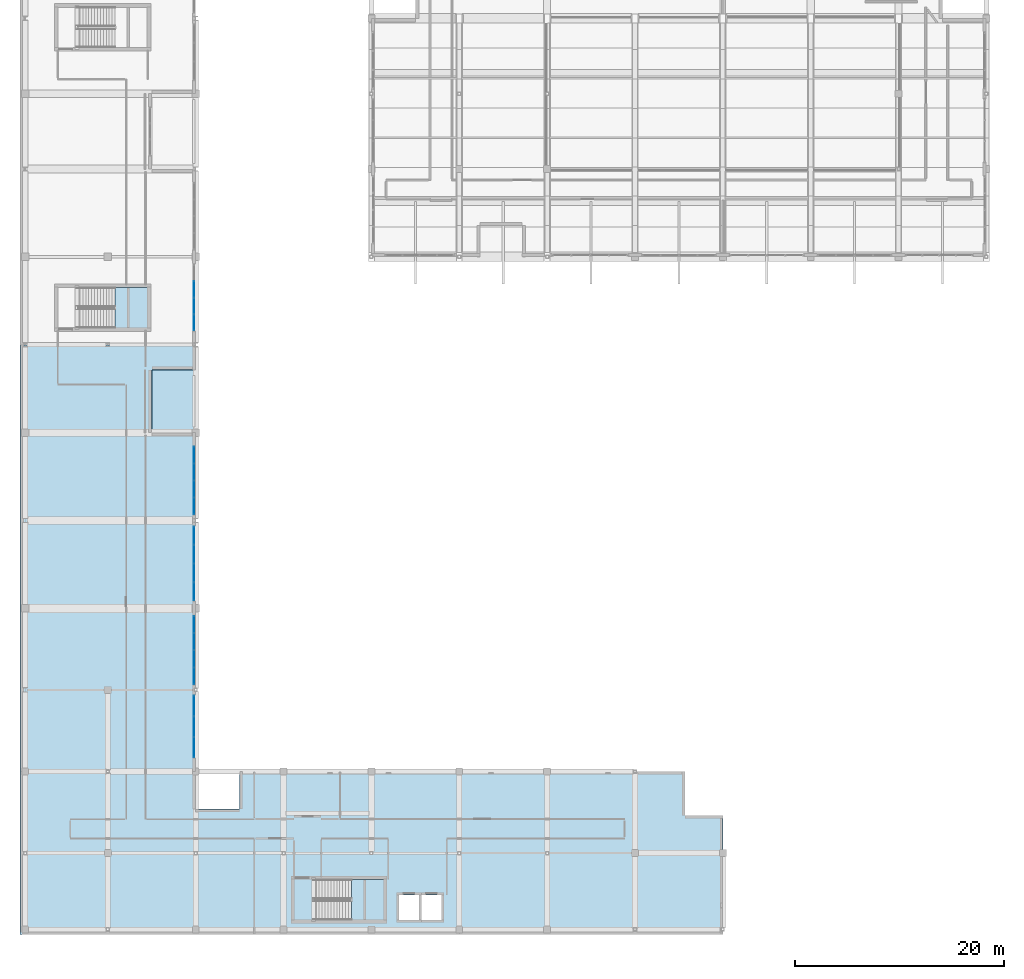
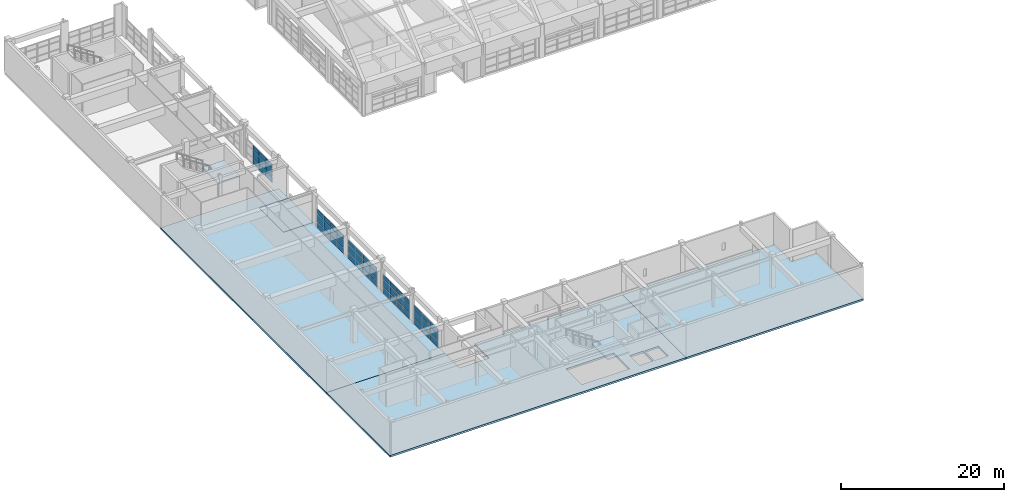
# One storey, part 72 of 103: 54 plates, 6 slabs, 7 elements without a shape of their own.
"""IFC4 building model written with IfcOpenShell, lengths in metres."""

from ifc_helpers import new_model, si_unit, direction, frame, origin, origin_2d, place, context, subcontext, project, spatial, polyline, rectangle, outline, extrude, material, layer, layer_set, type_object, element, aggregate, save


model = new_model("IFC4")

# Units and contexts
model_context = context("Model", 3, precision=1e-05, world=origin(), true_north=direction((0.0, 1.0)))
body_context = subcontext(model_context, "Body", "Model", "MODEL_VIEW")
ifc_project = project(units=[si_unit("LENGTHUNIT", "METRE"), si_unit("AREAUNIT", "SQUARE_METRE"), si_unit("VOLUMEUNIT", "CUBIC_METRE"), si_unit("PLANEANGLEUNIT", "RADIAN"), si_unit("MASSUNIT", "GRAM", prefix="KILO")], contexts=[model_context])

# Site, building, storey
site_placement = place(None, origin())
site = spatial("IfcSite", under=ifc_project, at=site_placement, CompositionType="ELEMENT")
building_placement = place(site_placement, origin())
building = spatial("IfcBuilding", under=site, at=building_placement, Name="Quendrovan Civic Courthouse", CompositionType="ELEMENT")
storey_placement = place(building_placement, frame((0.0, 0.0, 15.300048828125)))
storey = spatial("IfcBuildingStorey", under=building, at=storey_placement, Name="L04", CompositionType="ELEMENT", Elevation=15.300048828125)

# Curtain wall, plates
ifc_material_1 = material(Name="Bronze anodised aluminium and low-E glass", Category="aluminium")
ifc_layer_1 = layer(ifc_material_1, 0.179931640625, Name="Bronze anodised aluminium and low-E glass")
ifc_layer_set_1 = layer_set([ifc_layer_1], Name="Bronze anodised aluminium and low-E glass")
curtain_wall_type_1 = type_object("IfcCurtainWallType", Name="CW-U72x30", PredefinedType="USERDEFINED", material=ifc_layer_set_1)
curtain_wall_1_placement = place(storey_placement, origin())
curtain_wall_1 = element("IfcCurtainWall", 1, at=curtain_wall_1_placement, inside=storey, type_object=curtain_wall_type_1, Name="L04 Unitised Hurricane Curtain Wall CW-152", ObjectType="UNITISED CURTAIN WALL", PredefinedType="USERDEFINED")
ifc_material_2 = material(Name="Laminated hurricane-impact low-E glass", Category="glass")
ifc_layer_2 = layer(ifc_material_2, 0.028076171875, Name="Laminated hurricane-impact low-E glass")
ifc_layer_set_2 = layer_set([ifc_layer_2], Name="Laminated hurricane-impact low-E glass")
plate_type_1 = type_object("IfcPlateType", Name="CW-PNL-1", PredefinedType="CURTAIN_PANEL", material=ifc_layer_set_2)
plate_1_placement = place(storey_placement, frame((16.635009765625, 38.150146484375, 0.06982421875), z_axis=(0.0, 0.0, 1.0), x_axis=(0.0, -1.0, 0.0)))
plate_1 = element("IfcPlate", 2, at=plate_1_placement, type_object=plate_type_1, Name="CW-152 panel 1.1", PredefinedType="CURTAIN_PANEL", context=body_context, shape_type="SweptSolid", body=[
    extrude(rectangle(XDim=1.685791015625, YDim=0.028076171875, at=origin_2d()), origin(), (0.0, 0.0, 1.0), 0.844970703125),
])
plate_2_placement = place(storey_placement, frame((16.635009765625, 38.150146484375, 0.985107421875), z_axis=(0.0, 0.0, 1.0), x_axis=(0.0, -1.0, 0.0)))
plate_2 = element("IfcPlate", 3, at=plate_2_placement, type_object=plate_type_1, Name="CW-152 panel 1.2", PredefinedType="CURTAIN_PANEL", context=body_context, shape_type="SweptSolid", body=[
    extrude(rectangle(XDim=1.685791015625, YDim=0.028076171875, at=origin_2d()), origin(), (0.0, 0.0, 1.0), 1.1298828125),
])
plate_3_placement = place(storey_placement, frame((16.635009765625, 38.150146484375, 2.18505859375), z_axis=(0.0, 0.0, 1.0), x_axis=(0.0, -1.0, 0.0)))
plate_3 = element("IfcPlate", 4, at=plate_3_placement, type_object=plate_type_1, Name="CW-152 panel 1.3", PredefinedType="CURTAIN_PANEL", context=body_context, shape_type="SweptSolid", body=[
    extrude(rectangle(XDim=1.685791015625, YDim=0.028076171875, at=origin_2d()), origin(), (0.0, 0.0, 1.0), 0.715087890625),
])
plate_4_placement = place(storey_placement, frame((16.635009765625, 36.376953125, 0.06982421875), z_axis=(0.0, 0.0, 1.0), x_axis=(0.0, -1.0, 0.0)))
plate_4 = element("IfcPlate", 5, at=plate_4_placement, type_object=plate_type_1, Name="CW-152 panel 2.1", PredefinedType="CURTAIN_PANEL", context=body_context, shape_type="SweptSolid", body=[
    extrude(rectangle(XDim=1.720703125, YDim=0.028076171875, at=origin_2d()), origin(), (0.0, 0.0, 1.0), 0.844970703125),
])
plate_5_placement = place(storey_placement, frame((16.635009765625, 36.376953125, 0.985107421875), z_axis=(0.0, 0.0, 1.0), x_axis=(0.0, -1.0, 0.0)))
plate_5 = element("IfcPlate", 6, at=plate_5_placement, type_object=plate_type_1, Name="CW-152 panel 2.2", PredefinedType="CURTAIN_PANEL", context=body_context, shape_type="SweptSolid", body=[
    extrude(rectangle(XDim=1.720703125, YDim=0.028076171875, at=origin_2d()), origin(), (0.0, 0.0, 1.0), 1.1298828125),
])
plate_6_placement = place(storey_placement, frame((16.635009765625, 36.376953125, 2.18505859375), z_axis=(0.0, 0.0, 1.0), x_axis=(0.0, -1.0, 0.0)))
plate_6 = element("IfcPlate", 7, at=plate_6_placement, type_object=plate_type_1, Name="CW-152 panel 2.3", PredefinedType="CURTAIN_PANEL", context=body_context, shape_type="SweptSolid", body=[
    extrude(rectangle(XDim=1.720703125, YDim=0.028076171875, at=origin_2d()), origin(), (0.0, 0.0, 1.0), 0.715087890625),
])
plate_7_placement = place(storey_placement, frame((16.635009765625, 34.586181640625, 0.06982421875), z_axis=(0.0, 0.0, 1.0), x_axis=(0.0, -1.0, 0.0)))
plate_7 = element("IfcPlate", 8, at=plate_7_placement, type_object=plate_type_1, Name="CW-152 panel 3.1", PredefinedType="CURTAIN_PANEL", context=body_context, shape_type="SweptSolid", body=[
    extrude(rectangle(XDim=1.720703125, YDim=0.028076171875, at=origin_2d()), origin(), (0.0, 0.0, 1.0), 0.844970703125),
])
plate_8_placement = place(storey_placement, frame((16.635009765625, 34.586181640625, 0.985107421875), z_axis=(0.0, 0.0, 1.0), x_axis=(0.0, -1.0, 0.0)))
plate_8 = element("IfcPlate", 9, at=plate_8_placement, type_object=plate_type_1, Name="CW-152 panel 3.2", PredefinedType="CURTAIN_PANEL", context=body_context, shape_type="SweptSolid", body=[
    extrude(rectangle(XDim=1.720703125, YDim=0.028076171875, at=origin_2d()), origin(), (0.0, 0.0, 1.0), 1.1298828125),
])
plate_9_placement = place(storey_placement, frame((16.635009765625, 34.586181640625, 2.18505859375), z_axis=(0.0, 0.0, 1.0), x_axis=(0.0, -1.0, 0.0)))
plate_9 = element("IfcPlate", 10, at=plate_9_placement, type_object=plate_type_1, Name="CW-152 panel 3.3", PredefinedType="CURTAIN_PANEL", context=body_context, shape_type="SweptSolid", body=[
    extrude(rectangle(XDim=1.720703125, YDim=0.028076171875, at=origin_2d()), origin(), (0.0, 0.0, 1.0), 0.715087890625),
])
plate_10_placement = place(storey_placement, frame((16.635009765625, 32.81298828125, 0.06982421875), z_axis=(0.0, 0.0, 1.0), x_axis=(0.0, -1.0, 0.0)))
plate_10 = element("IfcPlate", 11, at=plate_10_placement, type_object=plate_type_1, Name="CW-152 panel 4.1", PredefinedType="CURTAIN_PANEL", context=body_context, shape_type="SweptSolid", body=[
    extrude(rectangle(XDim=1.685791015625, YDim=0.028076171875, at=origin_2d()), origin(), (0.0, 0.0, 1.0), 0.844970703125),
])
plate_11_placement = place(storey_placement, frame((16.635009765625, 32.81298828125, 0.985107421875), z_axis=(0.0, 0.0, 1.0), x_axis=(0.0, -1.0, 0.0)))
plate_11 = element("IfcPlate", 12, at=plate_11_placement, type_object=plate_type_1, Name="CW-152 panel 4.2", PredefinedType="CURTAIN_PANEL", context=body_context, shape_type="SweptSolid", body=[
    extrude(rectangle(XDim=1.685791015625, YDim=0.028076171875, at=origin_2d()), origin(), (0.0, 0.0, 1.0), 1.1298828125),
])
plate_12_placement = place(storey_placement, frame((16.635009765625, 32.81298828125, 2.18505859375), z_axis=(0.0, 0.0, 1.0), x_axis=(0.0, -1.0, 0.0)))
plate_12 = element("IfcPlate", 13, at=plate_12_placement, type_object=plate_type_1, Name="CW-152 panel 4.3", PredefinedType="CURTAIN_PANEL", context=body_context, shape_type="SweptSolid", body=[
    extrude(rectangle(XDim=1.685791015625, YDim=0.028076171875, at=origin_2d()), origin(), (0.0, 0.0, 1.0), 0.715087890625),
])
aggregate(curtain_wall_1, [plate_1, plate_2, plate_3, plate_4, plate_5, plate_6, plate_7, plate_8, plate_9, plate_10, plate_11, plate_12])

ifc_layer_3 = layer(ifc_material_1, 0.179931640625, Name="Bronze anodised aluminium and low-E glass")
ifc_layer_set_3 = layer_set([ifc_layer_3], Name="Bronze anodised aluminium and low-E glass")
curtain_wall_type_2 = type_object("IfcCurtainWallType", Name="CW-U66x30", PredefinedType="USERDEFINED", material=ifc_layer_set_3)
curtain_wall_2_placement = place(storey_placement, origin())
curtain_wall_2 = element("IfcCurtainWall", 14, at=curtain_wall_2_placement, inside=storey, type_object=curtain_wall_type_2, Name="L04 Unitised Hurricane Curtain Wall CW-153", ObjectType="UNITISED CURTAIN WALL", PredefinedType="USERDEFINED")
ifc_layer_4 = layer(ifc_material_2, 0.031982421875, Name="Laminated hurricane-impact low-E glass")
ifc_layer_set_4 = layer_set([ifc_layer_4], Name="Laminated hurricane-impact low-E glass")
plate_type_2 = type_object("IfcPlateType", Name="CW-PNL-2", PredefinedType="CURTAIN_PANEL", material=ifc_layer_set_4)
plate_13_placement = place(storey_placement, frame((16.635009765625, 29.65869140625, 0.06494140625), z_axis=(0.0, 0.0, 1.0), x_axis=(0.0, -1.0, 0.0)))
plate_13 = element("IfcPlate", 15, at=plate_13_placement, type_object=plate_type_2, Name="CW-153 panel 1.1", PredefinedType="CURTAIN_PANEL", context=body_context, shape_type="SweptSolid", body=[
    extrude(rectangle(XDim=1.552490234375, YDim=0.031982421875, at=origin_2d()), origin(), (0.0, 0.0, 1.0), 0.8525390625),
])
plate_14_placement = place(storey_placement, frame((16.635009765625, 29.65869140625, 0.982421875), z_axis=(0.0, 0.0, 1.0), x_axis=(0.0, -1.0, 0.0)))
plate_14 = element("IfcPlate", 16, at=plate_14_placement, type_object=plate_type_2, Name="CW-153 panel 1.2", PredefinedType="CURTAIN_PANEL", context=body_context, shape_type="SweptSolid", body=[
    extrude(rectangle(XDim=1.552490234375, YDim=0.031982421875, at=origin_2d()), origin(), (0.0, 0.0, 1.0), 1.135009765625),
])
plate_15_placement = place(storey_placement, frame((16.635009765625, 29.65869140625, 2.1826171875), z_axis=(0.0, 0.0, 1.0), x_axis=(0.0, -1.0, 0.0)))
plate_15 = element("IfcPlate", 17, at=plate_15_placement, type_object=plate_type_2, Name="CW-153 panel 1.3", PredefinedType="CURTAIN_PANEL", context=body_context, shape_type="SweptSolid", body=[
    extrude(rectangle(XDim=1.552490234375, YDim=0.031982421875, at=origin_2d()), origin(), (0.0, 0.0, 1.0), 0.722412109375),
])
plate_16_placement = place(storey_placement, frame((16.635009765625, 28.02490234375, 0.06494140625), z_axis=(0.0, 0.0, 1.0), x_axis=(0.0, -1.0, 0.0)))
plate_16 = element("IfcPlate", 18, at=plate_16_placement, type_object=plate_type_2, Name="CW-153 panel 2.1", PredefinedType="CURTAIN_PANEL", context=body_context, shape_type="SweptSolid", body=[
    extrude(rectangle(XDim=1.5849609375, YDim=0.031982421875, at=origin_2d()), origin(), (0.0, 0.0, 1.0), 0.8525390625),
])
plate_17_placement = place(storey_placement, frame((16.635009765625, 28.02490234375, 0.982421875), z_axis=(0.0, 0.0, 1.0), x_axis=(0.0, -1.0, 0.0)))
plate_17 = element("IfcPlate", 19, at=plate_17_placement, type_object=plate_type_2, Name="CW-153 panel 2.2", PredefinedType="CURTAIN_PANEL", context=body_context, shape_type="SweptSolid", body=[
    extrude(rectangle(XDim=1.5849609375, YDim=0.031982421875, at=origin_2d()), origin(), (0.0, 0.0, 1.0), 1.135009765625),
])
plate_18_placement = place(storey_placement, frame((16.635009765625, 28.02490234375, 2.1826171875), z_axis=(0.0, 0.0, 1.0), x_axis=(0.0, -1.0, 0.0)))
plate_18 = element("IfcPlate", 20, at=plate_18_placement, type_object=plate_type_2, Name="CW-153 panel 2.3", PredefinedType="CURTAIN_PANEL", context=body_context, shape_type="SweptSolid", body=[
    extrude(rectangle(XDim=1.5849609375, YDim=0.031982421875, at=origin_2d()), origin(), (0.0, 0.0, 1.0), 0.722412109375),
])
plate_19_placement = place(storey_placement, frame((16.635009765625, 26.375, 0.06494140625), z_axis=(0.0, 0.0, 1.0), x_axis=(0.0, -1.0, 0.0)))
plate_19 = element("IfcPlate", 21, at=plate_19_placement, type_object=plate_type_2, Name="CW-153 panel 3.1", PredefinedType="CURTAIN_PANEL", context=body_context, shape_type="SweptSolid", body=[
    extrude(rectangle(XDim=1.5849609375, YDim=0.031982421875, at=origin_2d()), origin(), (0.0, 0.0, 1.0), 0.8525390625),
])
plate_20_placement = place(storey_placement, frame((16.635009765625, 26.375, 0.982421875), z_axis=(0.0, 0.0, 1.0), x_axis=(0.0, -1.0, 0.0)))
plate_20 = element("IfcPlate", 22, at=plate_20_placement, type_object=plate_type_2, Name="CW-153 panel 3.2", PredefinedType="CURTAIN_PANEL", context=body_context, shape_type="SweptSolid", body=[
    extrude(rectangle(XDim=1.5849609375, YDim=0.031982421875, at=origin_2d()), origin(), (0.0, 0.0, 1.0), 1.135009765625),
])
plate_21_placement = place(storey_placement, frame((16.635009765625, 26.375, 2.1826171875), z_axis=(0.0, 0.0, 1.0), x_axis=(0.0, -1.0, 0.0)))
plate_21 = element("IfcPlate", 23, at=plate_21_placement, type_object=plate_type_2, Name="CW-153 panel 3.3", PredefinedType="CURTAIN_PANEL", context=body_context, shape_type="SweptSolid", body=[
    extrude(rectangle(XDim=1.5849609375, YDim=0.031982421875, at=origin_2d()), origin(), (0.0, 0.0, 1.0), 0.722412109375),
])
plate_22_placement = place(storey_placement, frame((16.635009765625, 24.7412109375, 0.06494140625), z_axis=(0.0, 0.0, 1.0), x_axis=(0.0, -1.0, 0.0)))
plate_22 = element("IfcPlate", 24, at=plate_22_placement, type_object=plate_type_2, Name="CW-153 panel 4.1", PredefinedType="CURTAIN_PANEL", context=body_context, shape_type="SweptSolid", body=[
    extrude(rectangle(XDim=1.552490234375, YDim=0.031982421875, at=origin_2d()), origin(), (0.0, 0.0, 1.0), 0.8525390625),
])
plate_23_placement = place(storey_placement, frame((16.635009765625, 24.7412109375, 0.982421875), z_axis=(0.0, 0.0, 1.0), x_axis=(0.0, -1.0, 0.0)))
plate_23 = element("IfcPlate", 25, at=plate_23_placement, type_object=plate_type_2, Name="CW-153 panel 4.2", PredefinedType="CURTAIN_PANEL", context=body_context, shape_type="SweptSolid", body=[
    extrude(rectangle(XDim=1.552490234375, YDim=0.031982421875, at=origin_2d()), origin(), (0.0, 0.0, 1.0), 1.135009765625),
])
plate_24_placement = place(storey_placement, frame((16.635009765625, 24.7412109375, 2.1826171875), z_axis=(0.0, 0.0, 1.0), x_axis=(0.0, -1.0, 0.0)))
plate_24 = element("IfcPlate", 26, at=plate_24_placement, type_object=plate_type_2, Name="CW-153 panel 4.3", PredefinedType="CURTAIN_PANEL", context=body_context, shape_type="SweptSolid", body=[
    extrude(rectangle(XDim=1.552490234375, YDim=0.031982421875, at=origin_2d()), origin(), (0.0, 0.0, 1.0), 0.722412109375),
])
aggregate(curtain_wall_2, [plate_13, plate_14, plate_15, plate_16, plate_17, plate_18, plate_19, plate_20, plate_21, plate_22, plate_23, plate_24])

ifc_layer_5 = layer(ifc_material_1, 0.179931640625, Name="Bronze anodised aluminium and low-E glass")
ifc_layer_set_5 = layer_set([ifc_layer_5], Name="Bronze anodised aluminium and low-E glass")
curtain_wall_type_3 = type_object("IfcCurtainWallType", Name="CW-U64x30", PredefinedType="USERDEFINED", material=ifc_layer_set_5)
curtain_wall_3_placement = place(storey_placement, origin())
curtain_wall_3 = element("IfcCurtainWall", 27, at=curtain_wall_3_placement, inside=storey, type_object=curtain_wall_type_3, Name="L04 Unitised Hurricane Curtain Wall CW-150", ObjectType="UNITISED CURTAIN WALL", PredefinedType="USERDEFINED")
ifc_layer_6 = layer(ifc_material_2, 0.035888671875, Name="Laminated hurricane-impact low-E glass")
ifc_layer_set_6 = layer_set([ifc_layer_6], Name="Laminated hurricane-impact low-E glass")
plate_type_3 = type_object("IfcPlateType", Name="CW-PNL-3", PredefinedType="CURTAIN_PANEL", material=ifc_layer_set_6)
plate_25_placement = place(storey_placement, frame((16.635009765625, 61.699951171875, 0.06982421875), z_axis=(0.0, 0.0, 1.0), x_axis=(0.0, -1.0, 0.0)))
plate_25 = element("IfcPlate", 28, at=plate_25_placement, type_object=plate_type_3, Name="CW-150 panel 2.1", PredefinedType="CURTAIN_PANEL", context=body_context, shape_type="SweptSolid", body=[
    extrude(rectangle(XDim=1.530029296875, YDim=0.035888671875, at=origin_2d()), origin(), (0.0, 0.0, 1.0), 0.844970703125),
])
plate_26_placement = place(storey_placement, frame((16.635009765625, 61.699951171875, 0.985107421875), z_axis=(0.0, 0.0, 1.0), x_axis=(0.0, -1.0, 0.0)))
plate_26 = element("IfcPlate", 29, at=plate_26_placement, type_object=plate_type_3, Name="CW-150 panel 2.2", PredefinedType="CURTAIN_PANEL", context=body_context, shape_type="SweptSolid", body=[
    extrude(rectangle(XDim=1.530029296875, YDim=0.035888671875, at=origin_2d()), origin(), (0.0, 0.0, 1.0), 1.1298828125),
])
plate_27_placement = place(storey_placement, frame((16.635009765625, 61.699951171875, 2.18505859375), z_axis=(0.0, 0.0, 1.0), x_axis=(0.0, -1.0, 0.0)))
plate_27 = element("IfcPlate", 30, at=plate_27_placement, type_object=plate_type_3, Name="CW-150 panel 2.3", PredefinedType="CURTAIN_PANEL", context=body_context, shape_type="SweptSolid", body=[
    extrude(rectangle(XDim=1.530029296875, YDim=0.035888671875, at=origin_2d()), origin(), (0.0, 0.0, 1.0), 0.715087890625),
])
plate_28_placement = place(storey_placement, frame((16.635009765625, 60.10009765625, 0.06982421875), z_axis=(0.0, 0.0, 1.0), x_axis=(0.0, -1.0, 0.0)))
plate_28 = element("IfcPlate", 31, at=plate_28_placement, type_object=plate_type_3, Name="CW-150 panel 3.1", PredefinedType="CURTAIN_PANEL", context=body_context, shape_type="SweptSolid", body=[
    extrude(rectangle(XDim=1.530029296875, YDim=0.035888671875, at=origin_2d()), origin(), (0.0, 0.0, 1.0), 0.844970703125),
])
plate_29_placement = place(storey_placement, frame((16.635009765625, 60.10009765625, 0.985107421875), z_axis=(0.0, 0.0, 1.0), x_axis=(0.0, -1.0, 0.0)))
plate_29 = element("IfcPlate", 32, at=plate_29_placement, type_object=plate_type_3, Name="CW-150 panel 3.2", PredefinedType="CURTAIN_PANEL", context=body_context, shape_type="SweptSolid", body=[
    extrude(rectangle(XDim=1.530029296875, YDim=0.035888671875, at=origin_2d()), origin(), (0.0, 0.0, 1.0), 1.1298828125),
])
plate_30_placement = place(storey_placement, frame((16.635009765625, 60.10009765625, 2.18505859375), z_axis=(0.0, 0.0, 1.0), x_axis=(0.0, -1.0, 0.0)))
plate_30 = element("IfcPlate", 33, at=plate_30_placement, type_object=plate_type_3, Name="CW-150 panel 3.3", PredefinedType="CURTAIN_PANEL", context=body_context, shape_type="SweptSolid", body=[
    extrude(rectangle(XDim=1.530029296875, YDim=0.035888671875, at=origin_2d()), origin(), (0.0, 0.0, 1.0), 0.715087890625),
])
plate_31_placement = place(storey_placement, frame((16.635009765625, 58.517578125, 0.06982421875), z_axis=(0.0, 0.0, 1.0), x_axis=(0.0, -1.0, 0.0)))
plate_31 = element("IfcPlate", 34, at=plate_31_placement, type_object=plate_type_3, Name="CW-150 panel 4.1", PredefinedType="CURTAIN_PANEL", context=body_context, shape_type="SweptSolid", body=[
    extrude(rectangle(XDim=1.4951171875, YDim=0.035888671875, at=origin_2d()), origin(), (0.0, 0.0, 1.0), 0.844970703125),
])
plate_32_placement = place(storey_placement, frame((16.635009765625, 58.517578125, 0.985107421875), z_axis=(0.0, 0.0, 1.0), x_axis=(0.0, -1.0, 0.0)))
plate_32 = element("IfcPlate", 35, at=plate_32_placement, type_object=plate_type_3, Name="CW-150 panel 4.2", PredefinedType="CURTAIN_PANEL", context=body_context, shape_type="SweptSolid", body=[
    extrude(rectangle(XDim=1.4951171875, YDim=0.035888671875, at=origin_2d()), origin(), (0.0, 0.0, 1.0), 1.1298828125),
])
plate_33_placement = place(storey_placement, frame((16.635009765625, 58.517578125, 2.18505859375), z_axis=(0.0, 0.0, 1.0), x_axis=(0.0, -1.0, 0.0)))
plate_33 = element("IfcPlate", 36, at=plate_33_placement, type_object=plate_type_3, Name="CW-150 panel 4.3", PredefinedType="CURTAIN_PANEL", context=body_context, shape_type="SweptSolid", body=[
    extrude(rectangle(XDim=1.4951171875, YDim=0.035888671875, at=origin_2d()), origin(), (0.0, 0.0, 1.0), 0.715087890625),
])
aggregate(curtain_wall_3, [plate_25, plate_26, plate_27, plate_28, plate_29, plate_30, plate_31, plate_32, plate_33])

ifc_layer_7 = layer(ifc_material_1, 0.179931640625, Name="Bronze anodised aluminium and low-E glass")
ifc_layer_set_7 = layer_set([ifc_layer_7], Name="Bronze anodised aluminium and low-E glass")
curtain_wall_type_4 = type_object("IfcCurtainWallType", Name="CW-U60x30", PredefinedType="USERDEFINED", material=ifc_layer_set_7)
curtain_wall_4_placement = place(storey_placement, origin())
curtain_wall_4 = element("IfcCurtainWall", 37, at=curtain_wall_4_placement, inside=storey, type_object=curtain_wall_type_4, Name="L04 Unitised Hurricane Curtain Wall CW-154", ObjectType="UNITISED CURTAIN WALL", PredefinedType="USERDEFINED")
plate_34_placement = place(storey_placement, frame((16.635009765625, 21.882568359375, 0.06982421875), z_axis=(0.0, 0.0, 1.0), x_axis=(0.0, -1.0, 0.0)))
plate_34 = element("IfcPlate", 38, at=plate_34_placement, type_object=plate_type_3, Name="CW-154 panel 1.1", PredefinedType="CURTAIN_PANEL", context=body_context, shape_type="SweptSolid", body=[
    extrude(rectangle(XDim=1.89501953125, YDim=0.035888671875, at=origin_2d()), origin(), (0.0, 0.0, 1.0), 0.844970703125),
])
plate_35_placement = place(storey_placement, frame((16.635009765625, 21.882568359375, 0.985107421875), z_axis=(0.0, 0.0, 1.0), x_axis=(0.0, -1.0, 0.0)))
plate_35 = element("IfcPlate", 39, at=plate_35_placement, type_object=plate_type_3, Name="CW-154 panel 1.2", PredefinedType="CURTAIN_PANEL", context=body_context, shape_type="SweptSolid", body=[
    extrude(rectangle(XDim=1.89501953125, YDim=0.035888671875, at=origin_2d()), origin(), (0.0, 0.0, 1.0), 1.1298828125),
])
plate_36_placement = place(storey_placement, frame((16.635009765625, 21.882568359375, 2.18505859375), z_axis=(0.0, 0.0, 1.0), x_axis=(0.0, -1.0, 0.0)))
plate_36 = element("IfcPlate", 40, at=plate_36_placement, type_object=plate_type_3, Name="CW-154 panel 1.3", PredefinedType="CURTAIN_PANEL", context=body_context, shape_type="SweptSolid", body=[
    extrude(rectangle(XDim=1.89501953125, YDim=0.035888671875, at=origin_2d()), origin(), (0.0, 0.0, 1.0), 0.715087890625),
])
plate_37_placement = place(storey_placement, frame((16.635009765625, 19.89990234375, 0.06982421875), z_axis=(0.0, 0.0, 1.0), x_axis=(0.0, -1.0, 0.0)))
plate_37 = element("IfcPlate", 41, at=plate_37_placement, type_object=plate_type_3, Name="CW-154 panel 2.1", PredefinedType="CURTAIN_PANEL", context=body_context, shape_type="SweptSolid", body=[
    extrude(rectangle(XDim=1.929931640625, YDim=0.035888671875, at=origin_2d()), origin(), (0.0, 0.0, 1.0), 0.844970703125),
])
plate_38_placement = place(storey_placement, frame((16.635009765625, 19.89990234375, 0.985107421875), z_axis=(0.0, 0.0, 1.0), x_axis=(0.0, -1.0, 0.0)))
plate_38 = element("IfcPlate", 42, at=plate_38_placement, type_object=plate_type_3, Name="CW-154 panel 2.2", PredefinedType="CURTAIN_PANEL", context=body_context, shape_type="SweptSolid", body=[
    extrude(rectangle(XDim=1.929931640625, YDim=0.035888671875, at=origin_2d()), origin(), (0.0, 0.0, 1.0), 1.1298828125),
])
plate_39_placement = place(storey_placement, frame((16.635009765625, 19.89990234375, 2.18505859375), z_axis=(0.0, 0.0, 1.0), x_axis=(0.0, -1.0, 0.0)))
plate_39 = element("IfcPlate", 43, at=plate_39_placement, type_object=plate_type_3, Name="CW-154 panel 2.3", PredefinedType="CURTAIN_PANEL", context=body_context, shape_type="SweptSolid", body=[
    extrude(rectangle(XDim=1.929931640625, YDim=0.035888671875, at=origin_2d()), origin(), (0.0, 0.0, 1.0), 0.715087890625),
])
plate_40_placement = place(storey_placement, frame((16.635009765625, 17.91748046875, 0.06982421875), z_axis=(0.0, 0.0, 1.0), x_axis=(0.0, -1.0, 0.0)))
plate_40 = element("IfcPlate", 44, at=plate_40_placement, type_object=plate_type_3, Name="CW-154 panel 3.1", PredefinedType="CURTAIN_PANEL", context=body_context, shape_type="SweptSolid", body=[
    extrude(rectangle(XDim=1.89501953125, YDim=0.035888671875, at=origin_2d()), origin(), (0.0, 0.0, 1.0), 0.844970703125),
])
plate_41_placement = place(storey_placement, frame((16.635009765625, 17.91748046875, 0.985107421875), z_axis=(0.0, 0.0, 1.0), x_axis=(0.0, -1.0, 0.0)))
plate_41 = element("IfcPlate", 45, at=plate_41_placement, type_object=plate_type_3, Name="CW-154 panel 3.2", PredefinedType="CURTAIN_PANEL", context=body_context, shape_type="SweptSolid", body=[
    extrude(rectangle(XDim=1.89501953125, YDim=0.035888671875, at=origin_2d()), origin(), (0.0, 0.0, 1.0), 1.1298828125),
])
plate_42_placement = place(storey_placement, frame((16.635009765625, 17.91748046875, 2.18505859375), z_axis=(0.0, 0.0, 1.0), x_axis=(0.0, -1.0, 0.0)))
plate_42 = element("IfcPlate", 46, at=plate_42_placement, type_object=plate_type_3, Name="CW-154 panel 3.3", PredefinedType="CURTAIN_PANEL", context=body_context, shape_type="SweptSolid", body=[
    extrude(rectangle(XDim=1.89501953125, YDim=0.035888671875, at=origin_2d()), origin(), (0.0, 0.0, 1.0), 0.715087890625),
])
aggregate(curtain_wall_4, [plate_34, plate_35, plate_36, plate_37, plate_38, plate_39, plate_40, plate_41, plate_42])

curtain_wall_5_placement = place(storey_placement, origin())
curtain_wall_5 = element("IfcCurtainWall", 47, at=curtain_wall_5_placement, inside=storey, type_object=curtain_wall_type_2, Name="L04 Unitised Hurricane Curtain Wall CW-151", ObjectType="UNITISED CURTAIN WALL", PredefinedType="USERDEFINED")
ifc_layer_8 = layer(ifc_material_2, 0.0419921875, Name="Laminated hurricane-impact low-E glass")
ifc_layer_set_8 = layer_set([ifc_layer_8], Name="Laminated hurricane-impact low-E glass")
plate_type_4 = type_object("IfcPlateType", Name="CW-PNL-4", PredefinedType="CURTAIN_PANEL", material=ifc_layer_set_8)
plate_43_placement = place(storey_placement, frame((16.635009765625, 45.86328125, 0.06494140625), z_axis=(0.0, 0.0, 1.0), x_axis=(0.0, -1.0, 0.0)))
plate_43 = element("IfcPlate", 48, at=plate_43_placement, type_object=plate_type_4, Name="CW-151 panel 1.1", PredefinedType="CURTAIN_PANEL", context=body_context, shape_type="SweptSolid", body=[
    extrude(rectangle(XDim=1.543212890625, YDim=0.0419921875, at=origin_2d()), origin(), (0.0, 0.0, 1.0), 0.8525390625),
])
plate_44_placement = place(storey_placement, frame((16.635009765625, 45.86328125, 0.982421875), z_axis=(0.0, 0.0, 1.0), x_axis=(0.0, -1.0, 0.0)))
plate_44 = element("IfcPlate", 49, at=plate_44_placement, type_object=plate_type_4, Name="CW-151 panel 1.2", PredefinedType="CURTAIN_PANEL", context=body_context, shape_type="SweptSolid", body=[
    extrude(rectangle(XDim=1.543212890625, YDim=0.0419921875, at=origin_2d()), origin(), (0.0, 0.0, 1.0), 1.135009765625),
])
plate_45_placement = place(storey_placement, frame((16.635009765625, 45.86328125, 2.1826171875), z_axis=(0.0, 0.0, 1.0), x_axis=(0.0, -1.0, 0.0)))
plate_45 = element("IfcPlate", 50, at=plate_45_placement, type_object=plate_type_4, Name="CW-151 panel 1.3", PredefinedType="CURTAIN_PANEL", context=body_context, shape_type="SweptSolid", body=[
    extrude(rectangle(XDim=1.543212890625, YDim=0.0419921875, at=origin_2d()), origin(), (0.0, 0.0, 1.0), 0.722412109375),
])
plate_46_placement = place(storey_placement, frame((16.635009765625, 44.23876953125, 0.06494140625), z_axis=(0.0, 0.0, 1.0), x_axis=(0.0, -1.0, 0.0)))
plate_46 = element("IfcPlate", 51, at=plate_46_placement, type_object=plate_type_4, Name="CW-151 panel 2.1", PredefinedType="CURTAIN_PANEL", context=body_context, shape_type="SweptSolid", body=[
    extrude(rectangle(XDim=1.57568359375, YDim=0.0419921875, at=origin_2d()), origin(), (0.0, 0.0, 1.0), 0.8525390625),
])
plate_47_placement = place(storey_placement, frame((16.635009765625, 44.23876953125, 0.982421875), z_axis=(0.0, 0.0, 1.0), x_axis=(0.0, -1.0, 0.0)))
plate_47 = element("IfcPlate", 52, at=plate_47_placement, type_object=plate_type_4, Name="CW-151 panel 2.2", PredefinedType="CURTAIN_PANEL", context=body_context, shape_type="SweptSolid", body=[
    extrude(rectangle(XDim=1.57568359375, YDim=0.0419921875, at=origin_2d()), origin(), (0.0, 0.0, 1.0), 1.135009765625),
])
plate_48_placement = place(storey_placement, frame((16.635009765625, 44.23876953125, 2.1826171875), z_axis=(0.0, 0.0, 1.0), x_axis=(0.0, -1.0, 0.0)))
plate_48 = element("IfcPlate", 53, at=plate_48_placement, type_object=plate_type_4, Name="CW-151 panel 2.3", PredefinedType="CURTAIN_PANEL", context=body_context, shape_type="SweptSolid", body=[
    extrude(rectangle(XDim=1.57568359375, YDim=0.0419921875, at=origin_2d()), origin(), (0.0, 0.0, 1.0), 0.722412109375),
])
plate_49_placement = place(storey_placement, frame((16.635009765625, 42.59814453125, 0.06494140625), z_axis=(0.0, 0.0, 1.0), x_axis=(0.0, -1.0, 0.0)))
plate_49 = element("IfcPlate", 54, at=plate_49_placement, type_object=plate_type_4, Name="CW-151 panel 3.1", PredefinedType="CURTAIN_PANEL", context=body_context, shape_type="SweptSolid", body=[
    extrude(rectangle(XDim=1.57568359375, YDim=0.0419921875, at=origin_2d()), origin(), (0.0, 0.0, 1.0), 0.8525390625),
])
plate_50_placement = place(storey_placement, frame((16.635009765625, 42.59814453125, 0.982421875), z_axis=(0.0, 0.0, 1.0), x_axis=(0.0, -1.0, 0.0)))
plate_50 = element("IfcPlate", 55, at=plate_50_placement, type_object=plate_type_4, Name="CW-151 panel 3.2", PredefinedType="CURTAIN_PANEL", context=body_context, shape_type="SweptSolid", body=[
    extrude(rectangle(XDim=1.57568359375, YDim=0.0419921875, at=origin_2d()), origin(), (0.0, 0.0, 1.0), 1.135009765625),
])
plate_51_placement = place(storey_placement, frame((16.635009765625, 42.59814453125, 2.1826171875), z_axis=(0.0, 0.0, 1.0), x_axis=(0.0, -1.0, 0.0)))
plate_51 = element("IfcPlate", 56, at=plate_51_placement, type_object=plate_type_4, Name="CW-151 panel 3.3", PredefinedType="CURTAIN_PANEL", context=body_context, shape_type="SweptSolid", body=[
    extrude(rectangle(XDim=1.57568359375, YDim=0.0419921875, at=origin_2d()), origin(), (0.0, 0.0, 1.0), 0.722412109375),
])
plate_52_placement = place(storey_placement, frame((16.635009765625, 40.9736328125, 0.06494140625), z_axis=(0.0, 0.0, 1.0), x_axis=(0.0, -1.0, 0.0)))
plate_52 = element("IfcPlate", 57, at=plate_52_placement, type_object=plate_type_4, Name="CW-151 panel 4.1", PredefinedType="CURTAIN_PANEL", context=body_context, shape_type="SweptSolid", body=[
    extrude(rectangle(XDim=1.543212890625, YDim=0.0419921875, at=origin_2d()), origin(), (0.0, 0.0, 1.0), 0.8525390625),
])
plate_53_placement = place(storey_placement, frame((16.635009765625, 40.9736328125, 0.982421875), z_axis=(0.0, 0.0, 1.0), x_axis=(0.0, -1.0, 0.0)))
plate_53 = element("IfcPlate", 58, at=plate_53_placement, type_object=plate_type_4, Name="CW-151 panel 4.2", PredefinedType="CURTAIN_PANEL", context=body_context, shape_type="SweptSolid", body=[
    extrude(rectangle(XDim=1.543212890625, YDim=0.0419921875, at=origin_2d()), origin(), (0.0, 0.0, 1.0), 1.135009765625),
])
plate_54_placement = place(storey_placement, frame((16.635009765625, 40.9736328125, 2.1826171875), z_axis=(0.0, 0.0, 1.0), x_axis=(0.0, -1.0, 0.0)))
plate_54 = element("IfcPlate", 59, at=plate_54_placement, type_object=plate_type_4, Name="CW-151 panel 4.3", PredefinedType="CURTAIN_PANEL", context=body_context, shape_type="SweptSolid", body=[
    extrude(rectangle(XDim=1.543212890625, YDim=0.0419921875, at=origin_2d()), origin(), (0.0, 0.0, 1.0), 0.722412109375),
])
aggregate(curtain_wall_5, [plate_43, plate_44, plate_45, plate_46, plate_47, plate_48, plate_49, plate_50, plate_51, plate_52, plate_53, plate_54])

# Slabs
ifc_material_3 = material(Name="Post-tensioned concrete C50/60", Category="concrete")
ifc_layer_9 = layer(ifc_material_3, 0.280029296875, Name="Post-tensioned concrete C50/60")
ifc_layer_set_9 = layer_set([ifc_layer_9], Name="Post-tensioned concrete C50/60")
slab_type_1 = type_object("IfcSlabType", Name="SLB-PT-280", PredefinedType="FLOOR", material=ifc_layer_set_9)
slab_1_placement = place(storey_placement, frame((0.0, 0.0, -0.280029296875)))
element("IfcSlab", 60, at=slab_1_placement, inside=storey, type_object=slab_type_1, Name="L04 Structural Floor Slab V5W", PredefinedType="FLOOR", context=body_context, shape_type="SweptSolid", body=[
    extrude(outline(polyline([(42.0, 0.0), (0.0, 0.0), (0.0, 15.60009765625), (16.800048828125, 15.60009765625), (16.800048828125, 12.0), (21.0, 12.0), (21.0, 15.60009765625), (42.0, 15.60009765625), (42.0, 0.0)]), holes=[polyline([(36.25, 1.39990234375), (38.14990234375, 1.39990234375), (38.14990234375, 3.800048828125), (36.25, 3.800048828125), (36.25, 1.39990234375)]), polyline([(38.39990234375, 3.800048828125), (38.39990234375, 1.39990234375), (40.300048828125, 1.39990234375), (40.300048828125, 3.800048828125), (38.39990234375, 3.800048828125)]), polyline([(28.050048828125, 5.280029296875), (28.050048828125, 1.39990234375), (34.800048828125, 1.39990234375), (34.800048828125, 5.280029296875), (28.050048828125, 5.280029296875)])]), origin(), (0.0, 0.0, 1.0), 0.280029296875),
])
slab_2_placement = place(storey_placement, frame((0.0, 0.0, -0.280029296875)))
element("IfcSlab", 61, at=slab_2_placement, inside=storey, type_object=slab_type_1, Name="L04 Structural Floor Slab V5E", PredefinedType="FLOOR", context=body_context, shape_type="SweptSolid", body=[
    extrude(outline(polyline([(67.199951171875, 0.0), (42.0, 0.0), (42.0, 15.60009765625), (63.60009765625, 15.60009765625), (63.60009765625, 11.39990234375), (67.199951171875, 11.39990234375), (67.199951171875, 0.0)])), origin(), (0.0, 0.0, 1.0), 0.280029296875),
])
slab_3_placement = place(storey_placement, frame((0.0, 0.0, -0.280029296875)))
element("IfcSlab", 62, at=slab_3_placement, inside=storey, type_object=slab_type_1, Name="L04 Structural Floor Slab V4S", PredefinedType="FLOOR", context=body_context, shape_type="SweptSolid", body=[
    extrude(outline(polyline([(16.800048828125, 15.60009765625), (0.0, 15.60009765625), (0.0, 56.39990234375), (16.800048828125, 56.39990234375), (16.800048828125, 54.0), (12.60009765625, 54.0), (12.60009765625, 48.0), (16.800048828125, 48.0), (16.800048828125, 15.60009765625)])), origin(), (0.0, 0.0, 1.0), 0.280029296875),
])
ifc_material_4 = material(Name="Concrete C40/50", Category="concrete")
ifc_layer_10 = layer(ifc_material_4, 0.219970703125, Name="Concrete C40/50")
ifc_layer_set_10 = layer_set([ifc_layer_10], Name="Concrete C40/50")
slab_type_2 = type_object("IfcSlabType", Name="SLB-RC-220", PredefinedType="ROOF", material=ifc_layer_set_10)
slab_4_placement = place(storey_placement, frame((0.0, 0.0, -0.219970703125)))
element("IfcSlab", 63, at=slab_4_placement, inside=storey, type_object=slab_type_2, Name="L04 Step-Back Structural Roof Slab SLB-ROOF-L04-14", PredefinedType="ROOF", context=body_context, shape_type="SweptSolid", body=[
    extrude(outline(polyline([(16.800048828125, 48.0), (12.60009765625, 48.0), (12.60009765625, 54.0), (16.800048828125, 54.0), (16.800048828125, 48.0)])), origin(), (0.0, 0.0, 1.0), 0.219970703125),
])

# Stair, slab
stair_type = type_object("IfcStairType", Name="STR-CORE-5100", PredefinedType="HALF_TURN_STAIR", material=ifc_material_4)
stair_1_placement = place(storey_placement, origin())
stair_1 = element("IfcStair", 64, at=stair_1_placement, inside=storey, type_object=stair_type, Name="L04 Law Library Wing Exit Stair 4", PredefinedType="HALF_TURN_STAIR")
ifc_layer_11 = layer(ifc_material_4, 0.199951171875, Name="Concrete C40/50")
ifc_layer_set_11 = layer_set([ifc_layer_11], Name="Concrete C40/50")
slab_type_3 = type_object("IfcSlabType", Name="SLB-STAIR-LND200", PredefinedType="LANDING", material=ifc_layer_set_11)
slab_5_placement = place(storey_placement, frame((0.0, 0.0, 2.349853515625)))
slab_5 = element("IfcSlab", 65, at=slab_5_placement, type_object=slab_type_3, Name="ST4 landing 1", PredefinedType="LANDING", context=body_context, shape_type="SweptSolid", body=[
    extrude(outline(polyline([(9.090087890625, 58.0), (12.199951171875, 58.0), (12.199951171875, 61.8798828125), (9.090087890625, 61.8798828125), (9.090087890625, 58.0)])), origin(), (0.0, 0.0, 1.0), 0.2001953125),
])
aggregate(stair_1, [slab_5])

stair_2_placement = place(storey_placement, origin())
stair_2 = element("IfcStair", 66, at=stair_2_placement, inside=storey, type_object=stair_type, Name="L04 Custody Wing Secure Exit Stair 5", PredefinedType="HALF_TURN_STAIR")
slab_6_placement = place(storey_placement, frame((0.0, 0.0, 2.349853515625)))
slab_6 = element("IfcSlab", 67, at=slab_6_placement, type_object=slab_type_3, Name="ST5 landing 1", PredefinedType="LANDING", context=body_context, shape_type="SweptSolid", body=[
    extrude(outline(polyline([(31.68994140625, 1.39990234375), (34.800048828125, 1.39990234375), (34.800048828125, 5.280029296875), (31.68994140625, 5.280029296875), (31.68994140625, 1.39990234375)])), origin(), (0.0, 0.0, 1.0), 0.2001953125),
])
aggregate(stair_2, [slab_6])

save(model, "model.ifc")
